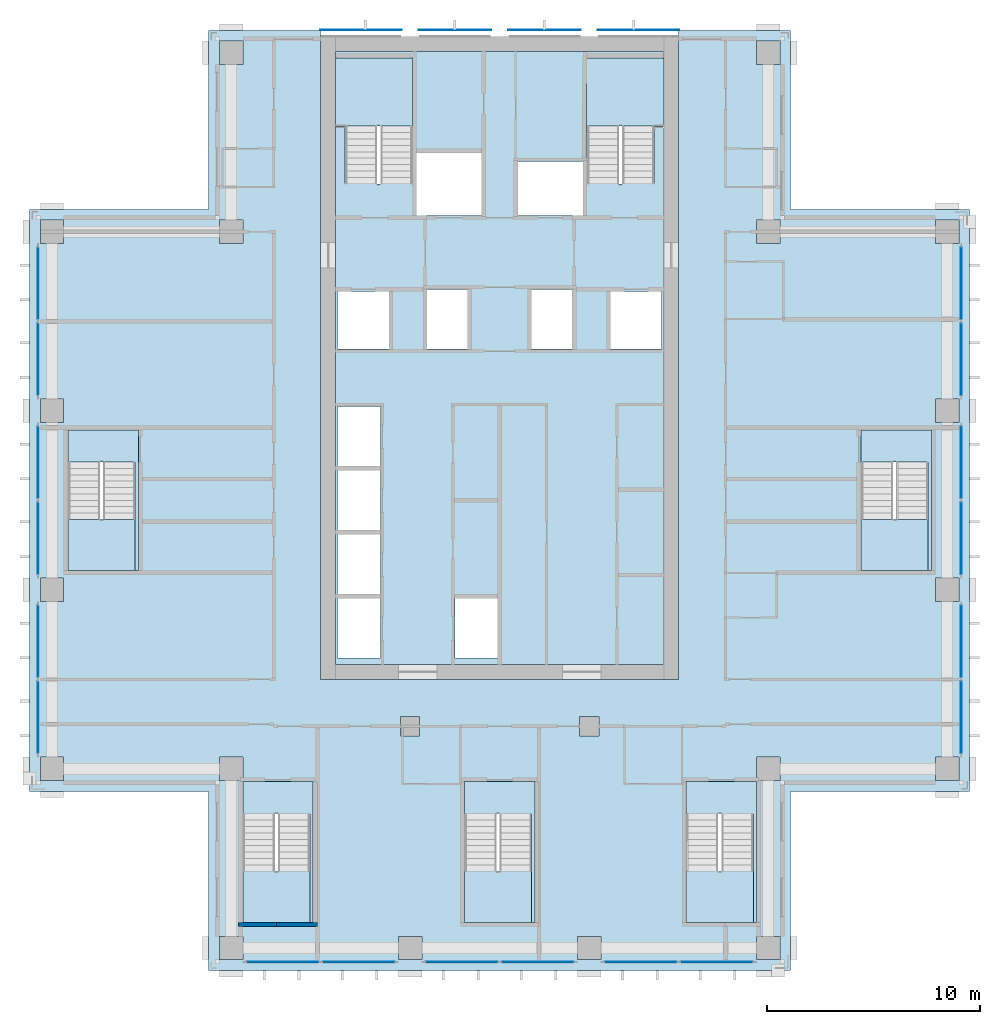
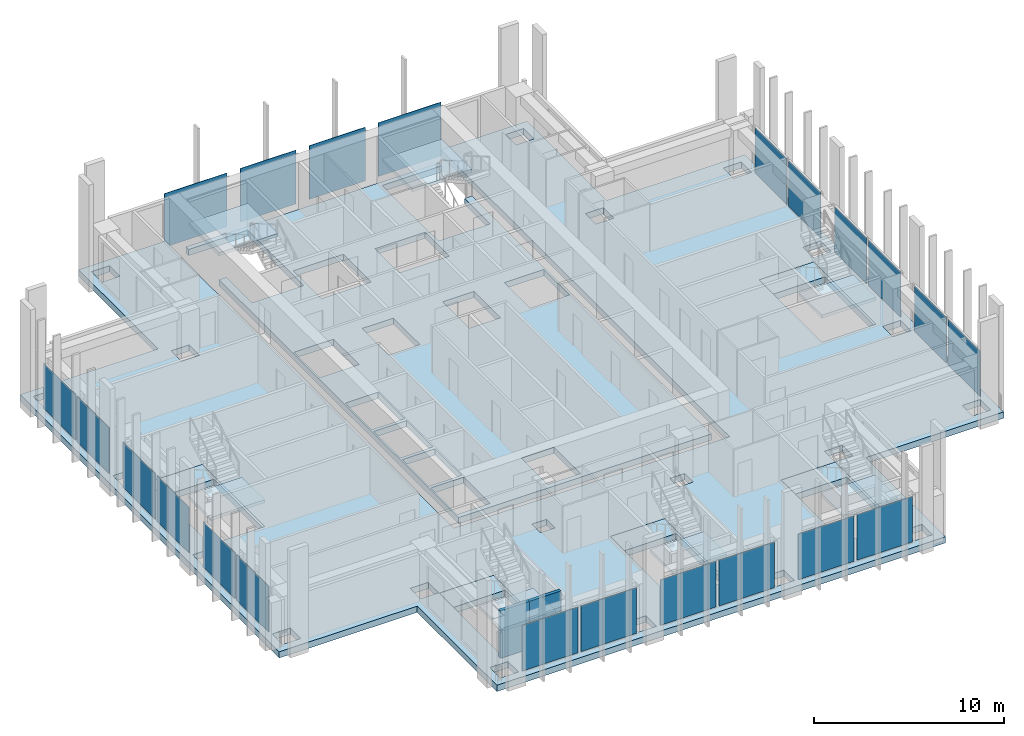
# One storey, part 8 of 16: 22 plates, 14 slabs, 2 walls, 16 elements without a shape of their own.
"""IFC4 building model written with IfcOpenShell, lengths in metres."""

from ifc_helpers import new_model, si_unit, direction, frame, frame_2d, origin, origin_2d, place, context, subcontext, project, spatial, polyline, rectangle, outline, extrude, material, layer, layer_set, type_object, element, aggregate, save


model = new_model("IFC4")

# Units and contexts
model_context = context("Model", 3, precision=1e-05, world=origin(), true_north=direction((0.0, 1.0)))
body_context = subcontext(model_context, "Body", "Model", "MODEL_VIEW")
ifc_project = project(units=[si_unit("LENGTHUNIT", "METRE"), si_unit("AREAUNIT", "SQUARE_METRE"), si_unit("VOLUMEUNIT", "CUBIC_METRE"), si_unit("PLANEANGLEUNIT", "RADIAN"), si_unit("MASSUNIT", "GRAM", prefix="KILO")], contexts=[model_context])

# Site, building, storey
site_placement = place(None, origin())
site = spatial("IfcSite", under=ifc_project, at=site_placement, CompositionType="ELEMENT")
building_placement = place(site_placement, origin())
building = spatial("IfcBuilding", under=site, at=building_placement, Name="Vermilion Ogive Tower", CompositionType="ELEMENT")
storey_placement = place(building_placement, frame((0.0, 0.0, 150.35009765625)))
storey = spatial("IfcBuildingStorey", under=building, at=storey_placement, Name="L38", CompositionType="ELEMENT", Elevation=150.35009765625)

# Curtain wall, plates
ifc_material_1 = material(Name="Low-iron laminated glazing in aluminium frame", Category="aluminium")
curtain_wall_type = type_object("IfcCurtainWallType", Name="Curtain wall CW7", PredefinedType="NOTDEFINED", material=ifc_material_1)
curtain_wall_1_placement = place(storey_placement, origin())
curtain_wall_1 = element("IfcCurtainWall", 1, at=curtain_wall_1_placement, inside=storey, type_object=curtain_wall_type, Name="Glazed skin S1", PredefinedType="NOTDEFINED")
ifc_material_2 = material(Name="Low-iron laminated glazing in aluminium frame", Category="aluminium")
ifc_layer_1 = layer(ifc_material_2, 0.031982421875)
ifc_layer_set_1 = layer_set([ifc_layer_1], Name="CW7 glazing panel 32")
plate_type_1 = type_object("IfcPlateType", Name="CW7 glazing panel 32", PredefinedType="CURTAIN_PANEL", material=ifc_layer_set_1)
plate_1_placement = place(storey_placement, frame((-10.179931640625, -21.64990234375, 0.06005859375), z_axis=(0.0, 0.0, 1.0), x_axis=(1.0, 0.0, 0.0)))
plate_1 = element("IfcPlate", 2, at=plate_1_placement, type_object=plate_type_1, Name="CW7-S1 panel 1.1", PredefinedType="CURTAIN_PANEL", context=body_context, shape_type="SweptSolid", body=[
    extrude(rectangle(XDim=3.3798828125, YDim=0.031982421875, at=origin_2d()), origin(), (0.0, 0.0, 1.0), 2.929931640625),
])
plate_2_placement = place(storey_placement, frame((-6.6201171875, -21.64990234375, 0.06005859375), z_axis=(0.0, 0.0, 1.0), x_axis=(1.0, 0.0, 0.0)))
plate_2 = element("IfcPlate", 3, at=plate_2_placement, type_object=plate_type_1, Name="CW7-S1 panel 2.1", PredefinedType="CURTAIN_PANEL", context=body_context, shape_type="SweptSolid", body=[
    extrude(rectangle(XDim=3.3798828125, YDim=0.031982421875, at=origin_2d()), origin(), (0.0, 0.0, 1.0), 2.929931640625),
])
aggregate(curtain_wall_1, [plate_1, plate_2])

curtain_wall_2_placement = place(storey_placement, origin())
curtain_wall_2 = element("IfcCurtainWall", 4, at=curtain_wall_2_placement, inside=storey, type_object=curtain_wall_type, Name="Glazed skin S2", PredefinedType="NOTDEFINED")
plate_3_placement = place(storey_placement, frame((-1.780029296875, -21.64990234375, 0.06005859375), z_axis=(0.0, 0.0, 1.0), x_axis=(1.0, 0.0, 0.0)))
plate_3 = element("IfcPlate", 5, at=plate_3_placement, type_object=plate_type_1, Name="CW7-S2 panel 1.1", PredefinedType="CURTAIN_PANEL", context=body_context, shape_type="SweptSolid", body=[
    extrude(rectangle(XDim=3.3798828125, YDim=0.031982421875, at=origin_2d()), origin(), (0.0, 0.0, 1.0), 2.929931640625),
])
plate_4_placement = place(storey_placement, frame((1.780029296875, -21.64990234375, 0.06005859375), z_axis=(0.0, 0.0, 1.0), x_axis=(1.0, 0.0, 0.0)))
plate_4 = element("IfcPlate", 6, at=plate_4_placement, type_object=plate_type_1, Name="CW7-S2 panel 2.1", PredefinedType="CURTAIN_PANEL", context=body_context, shape_type="SweptSolid", body=[
    extrude(rectangle(XDim=3.3798828125, YDim=0.031982421875, at=origin_2d()), origin(), (0.0, 0.0, 1.0), 2.929931640625),
])
aggregate(curtain_wall_2, [plate_3, plate_4])

curtain_wall_3_placement = place(storey_placement, origin())
curtain_wall_3 = element("IfcCurtainWall", 7, at=curtain_wall_3_placement, inside=storey, type_object=curtain_wall_type, Name="Glazed skin S3", PredefinedType="NOTDEFINED")
plate_5_placement = place(storey_placement, frame((6.6201171875, -21.64990234375, 0.06005859375), z_axis=(0.0, 0.0, 1.0), x_axis=(1.0, 0.0, 0.0)))
plate_5 = element("IfcPlate", 8, at=plate_5_placement, type_object=plate_type_1, Name="CW7-S3 panel 1.1", PredefinedType="CURTAIN_PANEL", context=body_context, shape_type="SweptSolid", body=[
    extrude(rectangle(XDim=3.3798828125, YDim=0.031982421875, at=origin_2d()), origin(), (0.0, 0.0, 1.0), 2.929931640625),
])
plate_6_placement = place(storey_placement, frame((10.179931640625, -21.64990234375, 0.06005859375), z_axis=(0.0, 0.0, 1.0), x_axis=(1.0, 0.0, 0.0)))
plate_6 = element("IfcPlate", 9, at=plate_6_placement, type_object=plate_type_1, Name="CW7-S3 panel 2.1", PredefinedType="CURTAIN_PANEL", context=body_context, shape_type="SweptSolid", body=[
    extrude(rectangle(XDim=3.3798828125, YDim=0.031982421875, at=origin_2d()), origin(), (0.0, 0.0, 1.0), 2.929931640625),
])
aggregate(curtain_wall_3, [plate_5, plate_6])

curtain_wall_4_placement = place(storey_placement, origin())
curtain_wall_4 = element("IfcCurtainWall", 10, at=curtain_wall_4_placement, inside=storey, type_object=curtain_wall_type, Name="Glazed skin E1", PredefinedType="NOTDEFINED")
plate_7_placement = place(storey_placement, frame((21.64990234375, -10.179931640625, 0.06005859375), z_axis=(0.0, 0.0, 1.0), x_axis=(0.0, 1.0, 0.0)))
plate_7 = element("IfcPlate", 11, at=plate_7_placement, type_object=plate_type_1, Name="CW7-E1 panel 1.1", PredefinedType="CURTAIN_PANEL", context=body_context, shape_type="SweptSolid", body=[
    extrude(rectangle(XDim=3.3798828125, YDim=0.031982421875, at=origin_2d()), origin(), (0.0, 0.0, 1.0), 2.929931640625),
])
plate_8_placement = place(storey_placement, frame((21.64990234375, -6.6201171875, 0.06005859375), z_axis=(0.0, 0.0, 1.0), x_axis=(0.0, 1.0, 0.0)))
plate_8 = element("IfcPlate", 12, at=plate_8_placement, type_object=plate_type_1, Name="CW7-E1 panel 2.1", PredefinedType="CURTAIN_PANEL", context=body_context, shape_type="SweptSolid", body=[
    extrude(rectangle(XDim=3.3798828125, YDim=0.031982421875, at=origin_2d()), origin(), (0.0, 0.0, 1.0), 2.929931640625),
])
aggregate(curtain_wall_4, [plate_7, plate_8])

curtain_wall_5_placement = place(storey_placement, origin())
curtain_wall_5 = element("IfcCurtainWall", 13, at=curtain_wall_5_placement, inside=storey, type_object=curtain_wall_type, Name="Glazed skin E2", PredefinedType="NOTDEFINED")
plate_9_placement = place(storey_placement, frame((21.64990234375, -1.780029296875, 0.06005859375), z_axis=(0.0, 0.0, 1.0), x_axis=(0.0, 1.0, 0.0)))
plate_9 = element("IfcPlate", 14, at=plate_9_placement, type_object=plate_type_1, Name="CW7-E2 panel 1.1", PredefinedType="CURTAIN_PANEL", context=body_context, shape_type="SweptSolid", body=[
    extrude(rectangle(XDim=3.3798828125, YDim=0.031982421875, at=origin_2d()), origin(), (0.0, 0.0, 1.0), 2.929931640625),
])
plate_10_placement = place(storey_placement, frame((21.64990234375, 1.780029296875, 0.06005859375), z_axis=(0.0, 0.0, 1.0), x_axis=(0.0, 1.0, 0.0)))
plate_10 = element("IfcPlate", 15, at=plate_10_placement, type_object=plate_type_1, Name="CW7-E2 panel 2.1", PredefinedType="CURTAIN_PANEL", context=body_context, shape_type="SweptSolid", body=[
    extrude(rectangle(XDim=3.3798828125, YDim=0.031982421875, at=origin_2d()), origin(), (0.0, 0.0, 1.0), 2.929931640625),
])
aggregate(curtain_wall_5, [plate_9, plate_10])

curtain_wall_6_placement = place(storey_placement, origin())
curtain_wall_6 = element("IfcCurtainWall", 16, at=curtain_wall_6_placement, inside=storey, type_object=curtain_wall_type, Name="Glazed skin E3", PredefinedType="NOTDEFINED")
plate_11_placement = place(storey_placement, frame((21.64990234375, 6.6201171875, 0.06005859375), z_axis=(0.0, 0.0, 1.0), x_axis=(0.0, 1.0, 0.0)))
plate_11 = element("IfcPlate", 17, at=plate_11_placement, type_object=plate_type_1, Name="CW7-E3 panel 1.1", PredefinedType="CURTAIN_PANEL", context=body_context, shape_type="SweptSolid", body=[
    extrude(rectangle(XDim=3.3798828125, YDim=0.031982421875, at=origin_2d()), origin(), (0.0, 0.0, 1.0), 2.929931640625),
])
plate_12_placement = place(storey_placement, frame((21.64990234375, 10.179931640625, 0.06005859375), z_axis=(0.0, 0.0, 1.0), x_axis=(0.0, 1.0, 0.0)))
plate_12 = element("IfcPlate", 18, at=plate_12_placement, type_object=plate_type_1, Name="CW7-E3 panel 2.1", PredefinedType="CURTAIN_PANEL", context=body_context, shape_type="SweptSolid", body=[
    extrude(rectangle(XDim=3.3798828125, YDim=0.031982421875, at=origin_2d()), origin(), (0.0, 0.0, 1.0), 2.929931640625),
])
aggregate(curtain_wall_6, [plate_11, plate_12])

curtain_wall_7_placement = place(storey_placement, origin())
curtain_wall_7 = element("IfcCurtainWall", 19, at=curtain_wall_7_placement, inside=storey, type_object=curtain_wall_type, Name="Glazed skin W1", PredefinedType="NOTDEFINED")
plate_13_placement = place(storey_placement, frame((-21.64990234375, 10.179931640625, 0.06005859375), z_axis=(0.0, 0.0, 1.0), x_axis=(0.0, -1.0, 0.0)))
plate_13 = element("IfcPlate", 20, at=plate_13_placement, type_object=plate_type_1, Name="CW7-W1 panel 1.1", PredefinedType="CURTAIN_PANEL", context=body_context, shape_type="SweptSolid", body=[
    extrude(rectangle(XDim=3.3798828125, YDim=0.031982421875, at=origin_2d()), origin(), (0.0, 0.0, 1.0), 2.929931640625),
])
plate_14_placement = place(storey_placement, frame((-21.64990234375, 6.6201171875, 0.06005859375), z_axis=(0.0, 0.0, 1.0), x_axis=(0.0, -1.0, 0.0)))
plate_14 = element("IfcPlate", 21, at=plate_14_placement, type_object=plate_type_1, Name="CW7-W1 panel 2.1", PredefinedType="CURTAIN_PANEL", context=body_context, shape_type="SweptSolid", body=[
    extrude(rectangle(XDim=3.3798828125, YDim=0.031982421875, at=origin_2d()), origin(), (0.0, 0.0, 1.0), 2.929931640625),
])
aggregate(curtain_wall_7, [plate_13, plate_14])

curtain_wall_8_placement = place(storey_placement, origin())
curtain_wall_8 = element("IfcCurtainWall", 22, at=curtain_wall_8_placement, inside=storey, type_object=curtain_wall_type, Name="Glazed skin W2", PredefinedType="NOTDEFINED")
plate_15_placement = place(storey_placement, frame((-21.64990234375, 1.780029296875, 0.06005859375), z_axis=(0.0, 0.0, 1.0), x_axis=(0.0, -1.0, 0.0)))
plate_15 = element("IfcPlate", 23, at=plate_15_placement, type_object=plate_type_1, Name="CW7-W2 panel 1.1", PredefinedType="CURTAIN_PANEL", context=body_context, shape_type="SweptSolid", body=[
    extrude(rectangle(XDim=3.3798828125, YDim=0.031982421875, at=origin_2d()), origin(), (0.0, 0.0, 1.0), 2.929931640625),
])
plate_16_placement = place(storey_placement, frame((-21.64990234375, -1.780029296875, 0.06005859375), z_axis=(0.0, 0.0, 1.0), x_axis=(0.0, -1.0, 0.0)))
plate_16 = element("IfcPlate", 24, at=plate_16_placement, type_object=plate_type_1, Name="CW7-W2 panel 2.1", PredefinedType="CURTAIN_PANEL", context=body_context, shape_type="SweptSolid", body=[
    extrude(rectangle(XDim=3.3798828125, YDim=0.031982421875, at=origin_2d()), origin(), (0.0, 0.0, 1.0), 2.929931640625),
])
aggregate(curtain_wall_8, [plate_15, plate_16])

curtain_wall_9_placement = place(storey_placement, origin())
curtain_wall_9 = element("IfcCurtainWall", 25, at=curtain_wall_9_placement, inside=storey, type_object=curtain_wall_type, Name="Glazed skin W3", PredefinedType="NOTDEFINED")
plate_17_placement = place(storey_placement, frame((-21.64990234375, -6.6201171875, 0.06005859375), z_axis=(0.0, 0.0, 1.0), x_axis=(0.0, -1.0, 0.0)))
plate_17 = element("IfcPlate", 26, at=plate_17_placement, type_object=plate_type_1, Name="CW7-W3 panel 1.1", PredefinedType="CURTAIN_PANEL", context=body_context, shape_type="SweptSolid", body=[
    extrude(rectangle(XDim=3.3798828125, YDim=0.031982421875, at=origin_2d()), origin(), (0.0, 0.0, 1.0), 2.929931640625),
])
plate_18_placement = place(storey_placement, frame((-21.64990234375, -10.179931640625, 0.06005859375), z_axis=(0.0, 0.0, 1.0), x_axis=(0.0, -1.0, 0.0)))
plate_18 = element("IfcPlate", 27, at=plate_18_placement, type_object=plate_type_1, Name="CW7-W3 panel 2.1", PredefinedType="CURTAIN_PANEL", context=body_context, shape_type="SweptSolid", body=[
    extrude(rectangle(XDim=3.3798828125, YDim=0.031982421875, at=origin_2d()), origin(), (0.0, 0.0, 1.0), 2.929931640625),
])
aggregate(curtain_wall_9, [plate_17, plate_18])

# Slabs
ifc_material_3 = material(Name="Concrete B40", Category="concrete")
ifc_layer_2 = layer(ifc_material_3, 0.39990234375)
ifc_layer_set_2 = layer_set([ifc_layer_2], Name="Core floor slab 400 B40")
slab_type_1 = type_object("IfcSlabType", Name="Core floor slab 400 B40", PredefinedType="FLOOR", material=ifc_layer_set_2)
slab_1_placement = place(storey_placement, frame((0.0, 0.0, -0.400146484375)))
element("IfcSlab", 28, at=slab_1_placement, inside=storey, type_object=slab_type_1, Name="L38-CK-FS1", PredefinedType="FLOOR", context=body_context, shape_type="SweptSolid", body=[
    extrude(outline(polyline([(5.75, 14.85009765625), (5.60009765625, 14.85009765625), (5.60009765625, 14.85205078125), (4.10009765625, 14.85205078125), (4.10009765625, 17.550048828125), (4.074951171875, 17.550048828125), (4.074951171875, 20.75), (7.696044921875, 20.75), (7.696044921875, 21.0458984375), (-7.696044921875, 21.0458984375), (-7.696044921875, 20.75), (-4.10009765625, 20.75), (-4.10009765625, 14.85205078125), (-5.60009765625, 14.85205078125), (-5.60009765625, 14.85009765625), (-5.75, 14.85009765625), (-5.75, 14.85205078125), (-7.25, 14.85205078125), (-7.25, 17.550048828125), (-7.696044921875, 17.550048828125), (-7.696044921875, -7.696044921875), (7.696044921875, -7.696044921875), (7.696044921875, 17.550048828125), (7.25, 17.550048828125), (7.25, 14.85205078125), (5.75, 14.85205078125), (5.75, 14.85009765625)]), holes=[polyline([(-7.60009765625, -7.39990234375), (-7.60009765625, -4.60009765625), (-5.60009765625, -4.60009765625), (-5.60009765625, -7.39990234375), (-7.60009765625, -7.39990234375)]), polyline([(-7.60009765625, -4.39990234375), (-7.60009765625, -1.60009765625), (-5.60009765625, -1.60009765625), (-5.60009765625, -4.39990234375), (-7.60009765625, -4.39990234375)]), polyline([(-7.60009765625, -1.39990234375), (-7.60009765625, 1.39990234375), (-5.60009765625, 1.39990234375), (-5.60009765625, -1.39990234375), (-7.60009765625, -1.39990234375)]), polyline([(-7.60009765625, 1.60009765625), (-7.60009765625, 4.39990234375), (-5.60009765625, 4.39990234375), (-5.60009765625, 1.60009765625), (-7.60009765625, 1.60009765625)]), polyline([(-7.60009765625, 7.10009765625), (-7.60009765625, 9.800048828125), (-5.199951171875, 9.800048828125), (-5.199951171875, 7.10009765625), (-7.60009765625, 7.10009765625)]), polyline([(-3.39990234375, 9.89990234375), (-1.5, 9.89990234375), (-1.5, 7.10009765625), (-3.39990234375, 7.10009765625), (-3.39990234375, 9.89990234375)]), polyline([(-2.10009765625, -7.39990234375), (-2.10009765625, -4.60009765625), (-0.10009765625, -4.60009765625), (-0.10009765625, -7.39990234375), (-2.10009765625, -7.39990234375)]), polyline([(5.199951171875, 7.10009765625), (5.199951171875, 9.800048828125), (7.60009765625, 9.800048828125), (7.60009765625, 7.10009765625), (5.199951171875, 7.10009765625)]), polyline([(1.5, 7.10009765625), (1.5, 9.89990234375), (3.39990234375, 9.89990234375), (3.39990234375, 7.10009765625), (1.5, 7.10009765625)]), polyline([(0.85009765625, 13.35009765625), (0.85009765625, 15.89990234375), (3.89990234375, 15.89990234375), (3.89990234375, 13.35009765625), (0.85009765625, 13.35009765625)]), polyline([(-3.89990234375, 16.300048828125), (-0.85009765625, 16.300048828125), (-0.85009765625, 13.35009765625), (-3.89990234375, 13.35009765625), (-3.89990234375, 16.300048828125)])]), origin(), (0.0, 0.0, 1.0), 0.400146484375),
])
slab_2_placement = place(storey_placement, frame((0.0, 0.0, -0.400146484375)))
element("IfcSlab", 29, at=slab_2_placement, inside=storey, type_object=slab_type_1, Name="L38-SF-ST3-1", PredefinedType="FLOOR", context=body_context, shape_type="SweptSolid", body=[
    extrude(outline(polyline([(-12.050048828125, -13.199951171875), (-12.050048828125, -14.701904296875), (-10.550048828125, -14.701904296875), (-10.550048828125, -14.699951171875), (-10.39990234375, -14.699951171875), (-10.39990234375, -14.701904296875), (-8.89990234375, -14.701904296875), (-8.89990234375, -19.800048828125), (-8.75, -19.800048828125), (-8.75, -13.199951171875), (-12.050048828125, -13.199951171875)])), origin(), (0.0, 0.0, 1.0), 0.400146484375),
])
slab_3_placement = place(storey_placement, frame((0.0, 0.0, -0.400146484375)))
element("IfcSlab", 30, at=slab_3_placement, inside=storey, type_object=slab_type_1, Name="L38-SF-ST4-1", PredefinedType="FLOOR", context=body_context, shape_type="SweptSolid", body=[
    extrude(outline(polyline([(-1.64990234375, -13.199951171875), (-1.64990234375, -14.701904296875), (-0.14990234375, -14.701904296875), (-0.14990234375, -14.699951171875), (0.0, -14.699951171875), (0.0, -14.701904296875), (1.5, -14.701904296875), (1.5, -19.800048828125), (1.64990234375, -19.800048828125), (1.64990234375, -13.199951171875), (-1.64990234375, -13.199951171875)])), origin(), (0.0, 0.0, 1.0), 0.400146484375),
])
slab_4_placement = place(storey_placement, frame((0.0, 0.0, -0.400146484375)))
element("IfcSlab", 31, at=slab_4_placement, inside=storey, type_object=slab_type_1, Name="L38-SF-ST5-1", PredefinedType="FLOOR", context=body_context, shape_type="SweptSolid", body=[
    extrude(outline(polyline([(8.75, -13.199951171875), (8.75, -14.701904296875), (10.25, -14.701904296875), (10.25, -14.699951171875), (10.39990234375, -14.699951171875), (10.39990234375, -14.701904296875), (11.89990234375, -14.701904296875), (11.89990234375, -19.800048828125), (12.050048828125, -19.800048828125), (12.050048828125, -13.199951171875), (8.75, -13.199951171875)])), origin(), (0.0, 0.0, 1.0), 0.400146484375),
])
slab_5_placement = place(storey_placement, frame((0.0, 0.0, -0.400146484375)))
element("IfcSlab", 32, at=slab_5_placement, inside=storey, type_object=slab_type_1, Name="L38-SF-ST8-1", PredefinedType="FLOOR", context=body_context, shape_type="SweptSolid", body=[
    extrude(outline(polyline([(16.949951171875, 3.300048828125), (16.949951171875, 1.798095703125), (18.449951171875, 1.798095703125), (18.449951171875, 1.800048828125), (18.60009765625, 1.800048828125), (18.60009765625, 1.798095703125), (20.10009765625, 1.798095703125), (20.10009765625, -3.300048828125), (20.25, -3.300048828125), (20.25, 3.300048828125), (16.949951171875, 3.300048828125)])), origin(), (0.0, 0.0, 1.0), 0.400146484375),
])
slab_6_placement = place(storey_placement, frame((0.0, 0.0, -0.400146484375)))
element("IfcSlab", 33, at=slab_6_placement, inside=storey, type_object=slab_type_1, Name="L38-SF-ST9-1", PredefinedType="FLOOR", context=body_context, shape_type="SweptSolid", body=[
    extrude(outline(polyline([(-20.25, 3.300048828125), (-20.25, 1.798095703125), (-18.75, 1.798095703125), (-18.75, 1.800048828125), (-18.60009765625, 1.800048828125), (-18.60009765625, 1.798095703125), (-17.10009765625, 1.798095703125), (-17.10009765625, -3.300048828125), (-16.949951171875, -3.300048828125), (-16.949951171875, 3.300048828125), (-20.25, 3.300048828125)])), origin(), (0.0, 0.0, 1.0), 0.400146484375),
])

# Plates
ifc_material_4 = material(Name="Low-iron laminated glazing in aluminium frame", Category="aluminium")
ifc_layer_3 = layer(ifc_material_4, 0.031982421875)
ifc_layer_set_3 = layer_set([ifc_layer_3], Name="Glazed rainscreen sheet 32")
plate_type_2 = type_object("IfcPlateType", Name="Glazed rainscreen sheet 32", PredefinedType="SHEET", material=ifc_layer_set_3)
plate_19_placement = place(storey_placement, frame((-6.510009765625, 22.06591796875, -0.39990234375), z_axis=(0.0, 0.0, 1.0), x_axis=(1.0, 0.0, 0.0)))
element("IfcPlate", 34, at=plate_19_placement, inside=storey, type_object=plate_type_2, Name="Glazed rainscreen sheet N1", PredefinedType="SHEET", context=body_context, shape_type="SweptSolid", body=[
    extrude(rectangle(XDim=3.820068359375, YDim=0.031982421875, at=origin_2d()), origin(), (0.0, 0.0, 1.0), 3.449951171875),
])
for number, where, z_axis, x_axis, name in (
    (35, (-2.10009765625, 22.06591796875, -0.39990234375), (0.0, 0.0, 1.0), (1.0, 0.0, 0.0), "Glazed rainscreen sheet N2"),
    (36, (2.10009765625, 22.06591796875, -0.39990234375), (0.0, 0.0, 1.0), (1.0, 0.0, 0.0), "Glazed rainscreen sheet N3"),
):
    element("IfcPlate", number, at=place(storey_placement, frame(where, z_axis=z_axis, x_axis=x_axis)), inside=storey, type_object=plate_type_2, Name=name, PredefinedType="SHEET", context=body_context, shape_type="SweptSolid", body=[
        extrude(rectangle(XDim=3.39990234375, YDim=0.031982421875, at=origin_2d()), origin(), (0.0, 0.0, 1.0), 3.449951171875),
    ])
plate_20_placement = place(storey_placement, frame((6.510009765625, 22.06591796875, -0.39990234375), z_axis=(0.0, 0.0, 1.0), x_axis=(1.0, 0.0, 0.0)))
element("IfcPlate", 37, at=plate_20_placement, inside=storey, type_object=plate_type_2, Name="Glazed rainscreen sheet N4", PredefinedType="SHEET", context=body_context, shape_type="SweptSolid", body=[
    extrude(rectangle(XDim=3.820068359375, YDim=0.031982421875, at=origin_2d()), origin(), (0.0, 0.0, 1.0), 3.449951171875),
])

# Slab
ifc_material_5 = material(Name="Concrete B45", Category="concrete")
ifc_layer_4 = layer(ifc_material_5, 0.39990234375)
ifc_layer_set_4 = layer_set([ifc_layer_4], Name="Post-tensioned flat plate 400 B45")
slab_type_2 = type_object("IfcSlabType", Name="Post-tensioned flat plate 400 B45", PredefinedType="FLOOR", material=ifc_layer_set_4)
slab_7_placement = place(storey_placement, frame((0.0, 0.0, -0.400146484375)))
element("IfcSlab", 38, at=slab_7_placement, inside=storey, type_object=slab_type_2, Name="L38-SL-1", PredefinedType="FLOOR", context=body_context, shape_type="SweptSolid", body=[
    extrude(outline(polyline([(-13.64990234375, -13.64990234375), (-22.050048828125, -13.64990234375), (-22.050048828125, 13.64990234375), (-13.64990234375, 13.64990234375), (-13.64990234375, 22.050048828125), (-8.39990234375, 22.050048828125), (-8.39990234375, -8.39990234375), (8.39990234375, -8.39990234375), (8.39990234375, 22.050048828125), (13.64990234375, 22.050048828125), (13.64990234375, 13.64990234375), (22.050048828125, 13.64990234375), (22.050048828125, -13.64990234375), (13.64990234375, -13.64990234375), (13.64990234375, -22.050048828125), (-13.64990234375, -22.050048828125), (-13.64990234375, -13.64990234375)]), holes=[polyline([(21.550048828125, 12.050048828125), (21.550048828125, 13.14990234375), (20.449951171875, 13.14990234375), (20.449951171875, 12.050048828125), (21.550048828125, 12.050048828125)]), polyline([(21.550048828125, 3.64990234375), (21.550048828125, 4.75), (20.449951171875, 4.75), (20.449951171875, 3.64990234375), (21.550048828125, 3.64990234375)]), polyline([(21.550048828125, -4.75), (21.550048828125, -3.64990234375), (20.449951171875, -3.64990234375), (20.449951171875, -4.75), (21.550048828125, -4.75)]), polyline([(21.550048828125, -13.14990234375), (21.550048828125, -12.050048828125), (20.449951171875, -12.050048828125), (20.449951171875, -13.14990234375), (21.550048828125, -13.14990234375)]), polyline([(20.25, -3.300048828125), (20.25, 3.300048828125), (16.949951171875, 3.300048828125), (16.949951171875, -3.300048828125), (20.25, -3.300048828125)]), polyline([(13.14990234375, 20.449951171875), (13.14990234375, 21.550048828125), (12.050048828125, 21.550048828125), (12.050048828125, 20.449951171875), (13.14990234375, 20.449951171875)]), polyline([(13.14990234375, 12.050048828125), (13.14990234375, 13.14990234375), (12.050048828125, 13.14990234375), (12.050048828125, 12.050048828125), (13.14990234375, 12.050048828125)]), polyline([(13.14990234375, -13.14990234375), (13.14990234375, -12.050048828125), (12.050048828125, -12.050048828125), (12.050048828125, -13.14990234375), (13.14990234375, -13.14990234375)]), polyline([(13.14990234375, -21.550048828125), (13.14990234375, -20.449951171875), (12.050048828125, -20.449951171875), (12.050048828125, -21.550048828125), (13.14990234375, -21.550048828125)]), polyline([(12.050048828125, -19.800048828125), (12.050048828125, -13.199951171875), (8.75, -13.199951171875), (8.75, -19.800048828125), (12.050048828125, -19.800048828125)]), polyline([(4.75, -20.449951171875), (3.64990234375, -20.449951171875), (3.64990234375, -21.550048828125), (4.75, -21.550048828125), (4.75, -20.449951171875)]), polyline([(4.64990234375, -11.050048828125), (4.64990234375, -10.14990234375), (3.75, -10.14990234375), (3.75, -11.050048828125), (4.64990234375, -11.050048828125)]), polyline([(1.64990234375, -19.800048828125), (1.64990234375, -13.199951171875), (-1.64990234375, -13.199951171875), (-1.64990234375, -19.800048828125), (1.64990234375, -19.800048828125)]), polyline([(-3.64990234375, -21.550048828125), (-3.64990234375, -20.449951171875), (-4.75, -20.449951171875), (-4.75, -21.550048828125), (-3.64990234375, -21.550048828125)]), polyline([(-3.75, -11.050048828125), (-3.75, -10.14990234375), (-4.64990234375, -10.14990234375), (-4.64990234375, -11.050048828125), (-3.75, -11.050048828125)]), polyline([(-8.75, -19.800048828125), (-8.75, -13.199951171875), (-12.050048828125, -13.199951171875), (-12.050048828125, -19.800048828125), (-8.75, -19.800048828125)]), polyline([(-12.050048828125, 20.449951171875), (-12.050048828125, 21.550048828125), (-13.14990234375, 21.550048828125), (-13.14990234375, 20.449951171875), (-12.050048828125, 20.449951171875)]), polyline([(-12.050048828125, 12.050048828125), (-12.050048828125, 13.14990234375), (-13.14990234375, 13.14990234375), (-13.14990234375, 12.050048828125), (-12.050048828125, 12.050048828125)]), polyline([(-12.050048828125, -13.14990234375), (-12.050048828125, -12.050048828125), (-13.14990234375, -12.050048828125), (-13.14990234375, -13.14990234375), (-12.050048828125, -13.14990234375)]), polyline([(-12.050048828125, -20.449951171875), (-13.14990234375, -20.449951171875), (-13.14990234375, -21.550048828125), (-12.050048828125, -21.550048828125), (-12.050048828125, -20.449951171875)]), polyline([(-16.949951171875, -3.300048828125), (-16.949951171875, 3.300048828125), (-20.25, 3.300048828125), (-20.25, -3.300048828125), (-16.949951171875, -3.300048828125)]), polyline([(-20.449951171875, -13.14990234375), (-20.449951171875, -12.050048828125), (-21.550048828125, -12.050048828125), (-21.550048828125, -13.14990234375), (-20.449951171875, -13.14990234375)]), polyline([(-20.449951171875, 12.050048828125), (-20.449951171875, 13.14990234375), (-21.550048828125, 13.14990234375), (-21.550048828125, 12.050048828125), (-20.449951171875, 12.050048828125)]), polyline([(-20.449951171875, 3.64990234375), (-20.449951171875, 4.75), (-21.550048828125, 4.75), (-21.550048828125, 3.64990234375), (-20.449951171875, 3.64990234375)]), polyline([(-20.449951171875, -4.75), (-20.449951171875, -3.64990234375), (-21.550048828125, -3.64990234375), (-21.550048828125, -4.75), (-20.449951171875, -4.75)])]), origin(), (0.0, 0.0, 1.0), 0.400146484375),
])

# Stair, slab
ifc_material_6 = material(Name="Concrete B40", Category="concrete")
stair_type = type_object("IfcStairType", Name="Exit stair 1500", PredefinedType="HALF_TURN_STAIR", material=ifc_material_6)
stair_1_placement = place(storey_placement, origin())
stair_1 = element("IfcStair", 39, at=stair_1_placement, inside=storey, type_object=stair_type, Name="L38 Exit Stair ST1", PredefinedType="HALF_TURN_STAIR")
ifc_material_7 = material(Name="Concrete B40", Category="concrete")
ifc_layer_5 = layer(ifc_material_7, 0.199951171875)
ifc_layer_set_5 = layer_set([ifc_layer_5], Name="Stair landing 200")
slab_type_3 = type_object("IfcSlabType", Name="Stair landing 200", PredefinedType="LANDING", material=ifc_layer_set_5)
slab_8_placement = place(storey_placement, frame((0.0, 0.0, 1.52490234375)))
slab_8 = element("IfcSlab", 40, at=slab_8_placement, type_object=slab_type_3, Name="ST1 landing 1", PredefinedType="LANDING", context=body_context, shape_type="SweptSolid", body=[
    extrude(outline(polyline([(-7.699951171875, 17.550048828125), (-7.25, 17.550048828125), (-7.25, 17.548095703125), (-5.75, 17.548095703125), (-5.75, 17.550048828125), (-5.60009765625, 17.550048828125), (-5.60009765625, 17.548095703125), (-4.10009765625, 17.548095703125), (-4.10009765625, 20.75), (-7.699951171875, 20.75), (-7.699951171875, 17.550048828125)])), origin(), (0.0, 0.0, 1.0), 0.199951171875),
])
aggregate(stair_1, [slab_8])

stair_2_placement = place(storey_placement, origin())
stair_2 = element("IfcStair", 41, at=stair_2_placement, inside=storey, type_object=stair_type, Name="L38 Exit Stair ST2", PredefinedType="HALF_TURN_STAIR")
slab_9_placement = place(storey_placement, frame((0.0, 0.0, 1.52490234375)))
slab_9 = element("IfcSlab", 42, at=slab_9_placement, type_object=slab_type_3, Name="ST2 landing 1", PredefinedType="LANDING", context=body_context, shape_type="SweptSolid", body=[
    extrude(outline(polyline([(5.60009765625, 17.550048828125), (5.75, 17.550048828125), (5.75, 17.548095703125), (7.25, 17.548095703125), (7.25, 17.550048828125), (7.699951171875, 17.550048828125), (7.699951171875, 20.75), (4.074951171875, 20.75), (4.074951171875, 17.550048828125), (4.10009765625, 17.550048828125), (4.10009765625, 17.548095703125), (5.60009765625, 17.548095703125), (5.60009765625, 17.550048828125)])), origin(), (0.0, 0.0, 1.0), 0.199951171875),
])
aggregate(stair_2, [slab_9])

stair_3_placement = place(storey_placement, origin())
stair_3 = element("IfcStair", 43, at=stair_3_placement, inside=storey, type_object=stair_type, Name="L38 Exit Stair ST3", PredefinedType="HALF_TURN_STAIR")
slab_10_placement = place(storey_placement, frame((0.0, 0.0, 1.52490234375)))
slab_10 = element("IfcSlab", 44, at=slab_10_placement, type_object=slab_type_3, Name="ST3 landing 1", PredefinedType="LANDING", context=body_context, shape_type="SweptSolid", body=[
    extrude(outline(polyline([(-8.75, -17.39990234375), (-8.89990234375, -17.39990234375), (-8.89990234375, -17.39794921875), (-10.39990234375, -17.39794921875), (-10.39990234375, -17.39990234375), (-10.550048828125, -17.39990234375), (-10.550048828125, -17.39794921875), (-12.050048828125, -17.39794921875), (-12.050048828125, -19.7998046875), (-8.75, -19.7998046875), (-8.75, -17.39990234375)])), origin(), (0.0, 0.0, 1.0), 0.199951171875),
])
aggregate(stair_3, [slab_10])

stair_4_placement = place(storey_placement, origin())
stair_4 = element("IfcStair", 45, at=stair_4_placement, inside=storey, type_object=stair_type, Name="L38 Exit Stair ST4", PredefinedType="HALF_TURN_STAIR")
slab_11_placement = place(storey_placement, frame((0.0, 0.0, 1.52490234375)))
slab_11 = element("IfcSlab", 46, at=slab_11_placement, type_object=slab_type_3, Name="ST4 landing 1", PredefinedType="LANDING", context=body_context, shape_type="SweptSolid", body=[
    extrude(outline(polyline([(1.64990234375, -17.39990234375), (1.5, -17.39990234375), (1.5, -17.39794921875), (0.0, -17.39794921875), (0.0, -17.39990234375), (-0.14990234375, -17.39990234375), (-0.14990234375, -17.39794921875), (-1.64990234375, -17.39794921875), (-1.64990234375, -19.7998046875), (1.64990234375, -19.7998046875), (1.64990234375, -17.39990234375)])), origin(), (0.0, 0.0, 1.0), 0.199951171875),
])
aggregate(stair_4, [slab_11])

stair_5_placement = place(storey_placement, origin())
stair_5 = element("IfcStair", 47, at=stair_5_placement, inside=storey, type_object=stair_type, Name="L38 Exit Stair ST5", PredefinedType="HALF_TURN_STAIR")
slab_12_placement = place(storey_placement, frame((0.0, 0.0, 1.52490234375)))
slab_12 = element("IfcSlab", 48, at=slab_12_placement, type_object=slab_type_3, Name="ST5 landing 1", PredefinedType="LANDING", context=body_context, shape_type="SweptSolid", body=[
    extrude(outline(polyline([(12.050048828125, -17.39990234375), (11.89990234375, -17.39990234375), (11.89990234375, -17.39794921875), (10.39990234375, -17.39794921875), (10.39990234375, -17.39990234375), (10.25, -17.39990234375), (10.25, -17.39794921875), (8.75, -17.39794921875), (8.75, -17.39990234375), (8.75, -17.39990234375), (8.75, -19.7998046875), (12.050048828125, -19.7998046875), (12.050048828125, -17.39990234375)])), origin(), (0.0, 0.0, 1.0), 0.199951171875),
])
aggregate(stair_5, [slab_12])

stair_6_placement = place(storey_placement, origin())
stair_6 = element("IfcStair", 49, at=stair_6_placement, inside=storey, type_object=stair_type, Name="L38 Exit Stair ST8", PredefinedType="HALF_TURN_STAIR")
slab_13_placement = place(storey_placement, frame((0.0, 0.0, 1.52490234375)))
slab_13 = element("IfcSlab", 50, at=slab_13_placement, type_object=slab_type_3, Name="ST8 landing 1", PredefinedType="LANDING", context=body_context, shape_type="SweptSolid", body=[
    extrude(outline(polyline([(20.25, -0.89990234375), (20.10009765625, -0.89990234375), (20.10009765625, -0.89794921875), (18.60009765625, -0.89794921875), (18.60009765625, -0.89990234375), (18.449951171875, -0.89990234375), (18.449951171875, -0.89794921875), (16.949951171875, -0.89794921875), (16.949951171875, -0.902099609375), (16.9501953125, -0.902099609375), (16.9501953125, -3.2998046875), (20.25, -3.2998046875), (20.25, -0.89990234375)])), origin(), (0.0, 0.0, 1.0), 0.199951171875),
])
aggregate(stair_6, [slab_13])

stair_7_placement = place(storey_placement, origin())
stair_7 = element("IfcStair", 51, at=stair_7_placement, inside=storey, type_object=stair_type, Name="L38 Exit Stair ST9", PredefinedType="HALF_TURN_STAIR")
slab_14_placement = place(storey_placement, frame((0.0, 0.0, 1.52490234375)))
slab_14 = element("IfcSlab", 52, at=slab_14_placement, type_object=slab_type_3, Name="ST9 landing 1", PredefinedType="LANDING", context=body_context, shape_type="SweptSolid", body=[
    extrude(outline(polyline([(-16.9501953125, -0.89990234375), (-17.10009765625, -0.89990234375), (-17.10009765625, -0.89794921875), (-18.60009765625, -0.89794921875), (-18.60009765625, -0.89990234375), (-18.75, -0.89990234375), (-18.75, -0.89794921875), (-20.25, -0.89794921875), (-20.25, -0.89990234375), (-20.25, -0.89990234375), (-20.25, -3.2998046875), (-16.9501953125, -3.2998046875), (-16.9501953125, -0.89990234375)])), origin(), (0.0, 0.0, 1.0), 0.199951171875),
])
aggregate(stair_7, [slab_14])

# Walls
ifc_material_8 = material(Name="Concrete B60", Category="concrete")
ifc_layer_6 = layer(ifc_material_8, 0.199951171875)
ifc_layer_set_6 = layer_set([ifc_layer_6], Name="Stair shaft wall 200 Concrete B60")
wall_type = type_object("IfcWallType", Name="Stair shaft wall 200 Concrete B60", PredefinedType="SOLIDWALL", material=ifc_layer_set_6)
wall_1_placement = place(storey_placement, frame((-10.477783203125, -19.89990234375, 0.0), z_axis=(0.0, 0.0, 1.0), x_axis=(1.0, 0.0, 0.0)))
element("IfcWall", 53, at=wall_1_placement, inside=storey, type_object=wall_type, Name="L38-W-W001", PredefinedType="SOLIDWALL", context=body_context, shape_type="SweptSolid", body=[
    extrude(rectangle(XDim=1.92578125, YDim=0.199951171875, at=frame_2d((0.962890625, 0.0))), origin(), (0.0, 0.0, 1.0), 3.0498046875),
])
wall_2_placement = place(storey_placement, frame((-12.25, -19.89990234375, 0.0), z_axis=(0.0, 0.0, 1.0), x_axis=(1.0, 0.0, 0.0)))
element("IfcWall", 54, at=wall_2_placement, inside=storey, type_object=wall_type, Name="L38-SW-ST3-S1", PredefinedType="SOLIDWALL", context=body_context, shape_type="SweptSolid", body=[
    extrude(rectangle(XDim=1.772216796875, YDim=0.199951171875, at=frame_2d((0.88623046875, 0.0))), origin(), (0.0, 0.0, 1.0), 3.0498046875),
])

save(model, "model.ifc")
